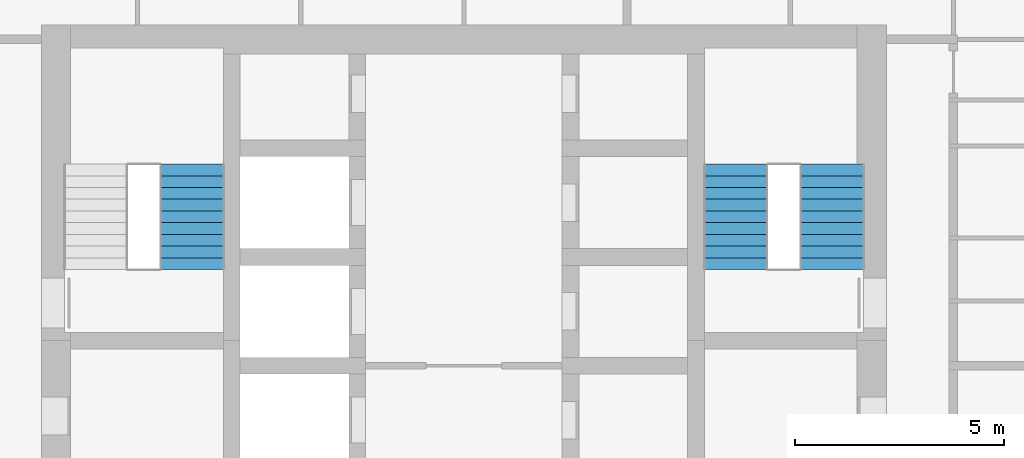
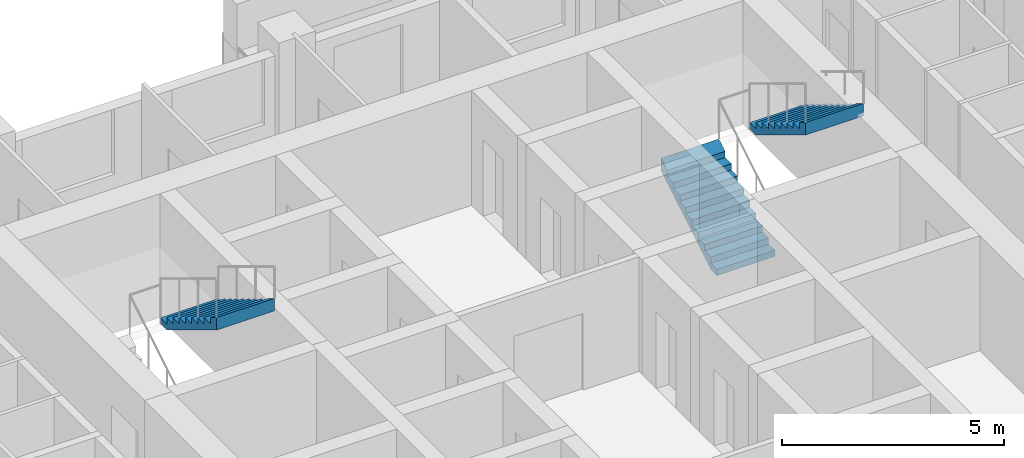
# One storey, part 16 of 18: 3 stair flights, 2 elements without a shape of their own.
"""IFC4 building model written with IfcOpenShell, lengths in metres."""

from ifc_helpers import new_model, si_unit, direction, frame, origin, place, context, subcontext, project, spatial, triangles, material, type_object, element, aggregate, save


model = new_model("IFC4")

# Units and contexts
model_context = context("Model", 3, precision=1e-05, world=origin(), true_north=direction((0.0, 1.0)))
body_context = subcontext(model_context, "Body", "Model", "MODEL_VIEW")
ifc_project = project(units=[si_unit("LENGTHUNIT", "METRE"), si_unit("AREAUNIT", "SQUARE_METRE"), si_unit("VOLUMEUNIT", "CUBIC_METRE"), si_unit("PLANEANGLEUNIT", "RADIAN"), si_unit("MASSUNIT", "GRAM", prefix="KILO")], contexts=[model_context])

# Site, building, storey
site_placement = place(None, origin())
site = spatial("IfcSite", under=ifc_project, at=site_placement, CompositionType="ELEMENT")
building_placement = place(site_placement, origin())
building = spatial("IfcBuilding", under=site, at=building_placement, Name="Ludao Terraces", CompositionType="ELEMENT")
storey_placement = place(building_placement, frame((0.0, 0.0, 78.39990234375)))
storey = spatial("IfcBuildingStorey", under=building, at=storey_placement, Name="L21", CompositionType="ELEMENT", Elevation=78.39990234375)

# Stair, stair flight
ifc_material = material(Name="Concrete C40", Category="concrete")
stair_type = type_object("IfcStairType", Name="INT Stair", PredefinedType="HALF_TURN_STAIR", material=ifc_material)
stair_1_placement = place(storey_placement, origin())
stair_1 = element("IfcStair", 1, at=stair_1_placement, inside=storey, type_object=stair_type, Name="EXIT STAIR 1", PredefinedType="HALF_TURN_STAIR")
stair_flight_type = type_object("IfcStairFlightType", Name="INT Stair flight", PredefinedType="STRAIGHT", material=ifc_material)
stair_flight_1_placement = place(storey_placement, frame((78.5, 81.52001953125, 1.7001953125), z_axis=(0.0, 0.0, 1.0), x_axis=(0.0, -1.0, 0.0)))
stair_flight_1 = element("IfcStairFlight", 2, at=stair_flight_1_placement, type_object=stair_flight_type, Name="ST1 flight 2", NumberOfRisers=10, NumberOfTreads=9, PredefinedType="STRAIGHT", RiserHeight=0.17, TreadLength=0.28, context=body_context, shape_type="Tessellation", body=[
    triangles([(0.0, -0.75, 0.0), (0.0, -0.5, 0.0), (0.0, -0.25, 0.0), (0.0, 0.0, 0.0), (0.0, 0.25, 0.0), (0.0, 0.5, 0.0), (0.0, 0.75, 0.0), (0.0, -0.75, 0.169921875), (0.0, -0.5, 0.169921875), (0.0, -0.25, 0.169921875), (0.0, 0.0, 0.169921875), (0.0, 0.25, 0.169921875), (0.0, 0.5, 0.169921875), (0.0, 0.75, 0.169921875), (0.280029296875, -0.75, 0.169921875), (0.280029296875, -0.5, 0.169921875), (0.280029296875, -0.25, 0.169921875), (0.280029296875, 0.0, 0.169921875), (0.280029296875, 0.25, 0.169921875), (0.280029296875, 0.5, 0.169921875), (0.280029296875, 0.75, 0.169921875), (0.280029296875, -0.75, 0.340087890625), (0.280029296875, -0.5, 0.340087890625), (0.280029296875, -0.25, 0.340087890625), (0.280029296875, 0.0, 0.340087890625), (0.280029296875, 0.25, 0.340087890625), (0.280029296875, 0.5, 0.340087890625), (0.280029296875, 0.75, 0.340087890625), (0.56005859375, -0.75, 0.340087890625), (0.56005859375, -0.5, 0.340087890625), (0.56005859375, -0.25, 0.340087890625), (0.56005859375, 0.0, 0.340087890625), (0.56005859375, 0.25, 0.340087890625), (0.56005859375, 0.5, 0.340087890625), (0.56005859375, 0.75, 0.340087890625), (0.56005859375, -0.75, 0.510009765625), (0.56005859375, -0.5, 0.510009765625), (0.56005859375, -0.25, 0.510009765625), (0.56005859375, 0.0, 0.510009765625), (0.56005859375, 0.25, 0.510009765625), (0.56005859375, 0.5, 0.510009765625), (0.56005859375, 0.75, 0.510009765625), (0.840087890625, -0.75, 0.510009765625), (0.840087890625, -0.5, 0.510009765625), (0.840087890625, -0.25, 0.510009765625), (0.840087890625, 0.0, 0.510009765625), (0.840087890625, 0.25, 0.510009765625), (0.840087890625, 0.5, 0.510009765625), (0.840087890625, 0.75, 0.510009765625), (0.840087890625, -0.75, 0.679931640625), (0.840087890625, -0.5, 0.679931640625), (0.840087890625, -0.25, 0.679931640625), (0.840087890625, 0.0, 0.679931640625), (0.840087890625, 0.25, 0.679931640625), (0.840087890625, 0.5, 0.679931640625), (0.840087890625, 0.75, 0.679931640625), (1.1201171875, -0.75, 0.679931640625), (1.1201171875, -0.5, 0.679931640625), (1.1201171875, -0.25, 0.679931640625), (1.1201171875, 0.0, 0.679931640625), (1.1201171875, 0.25, 0.679931640625), (1.1201171875, 0.5, 0.679931640625), (1.1201171875, 0.75, 0.679931640625), (1.1201171875, -0.75, 0.85009765625), (1.1201171875, -0.5, 0.85009765625), (1.1201171875, -0.25, 0.85009765625), (1.1201171875, 0.0, 0.85009765625), (1.1201171875, 0.25, 0.85009765625), (1.1201171875, 0.5, 0.85009765625), (1.1201171875, 0.75, 0.85009765625), (1.39990234375, -0.75, 0.85009765625), (1.39990234375, -0.5, 0.85009765625), (1.39990234375, -0.25, 0.85009765625), (1.39990234375, 0.0, 0.85009765625), (1.39990234375, 0.25, 0.85009765625), (1.39990234375, 0.5, 0.85009765625), (1.39990234375, 0.75, 0.85009765625), (1.39990234375, -0.75, 1.02001953125), (1.39990234375, -0.5, 1.02001953125), (1.39990234375, -0.25, 1.02001953125), (1.39990234375, 0.0, 1.02001953125), (1.39990234375, 0.25, 1.02001953125), (1.39990234375, 0.5, 1.02001953125), (1.39990234375, 0.75, 1.02001953125), (1.679931640625, -0.75, 1.02001953125), (1.679931640625, -0.5, 1.02001953125), (1.679931640625, -0.25, 1.02001953125), (1.679931640625, 0.0, 1.02001953125), (1.679931640625, 0.25, 1.02001953125), (1.679931640625, 0.5, 1.02001953125), (1.679931640625, 0.75, 1.02001953125), (1.679931640625, -0.75, 1.18994140625), (1.679931640625, -0.5, 1.18994140625), (1.679931640625, -0.25, 1.18994140625), (1.679931640625, 0.0, 1.18994140625), (1.679931640625, 0.25, 1.18994140625), (1.679931640625, 0.5, 1.18994140625), (1.679931640625, 0.75, 1.18994140625), (1.9599609375, -0.75, 1.18994140625), (1.9599609375, -0.5, 1.18994140625), (1.9599609375, -0.25, 1.18994140625), (1.9599609375, 0.0, 1.18994140625), (1.9599609375, 0.25, 1.18994140625), (1.9599609375, 0.5, 1.18994140625), (1.9599609375, 0.75, 1.18994140625), (1.9599609375, -0.75, 1.360107421875), (1.9599609375, -0.5, 1.360107421875), (1.9599609375, -0.25, 1.360107421875), (1.9599609375, 0.0, 1.360107421875), (1.9599609375, 0.25, 1.360107421875), (1.9599609375, 0.5, 1.360107421875), (1.9599609375, 0.75, 1.360107421875), (2.239990234375, -0.75, 1.360107421875), (2.239990234375, -0.5, 1.360107421875), (2.239990234375, -0.25, 1.360107421875), (2.239990234375, 0.0, 1.360107421875), (2.239990234375, 0.25, 1.360107421875), (2.239990234375, 0.5, 1.360107421875), (2.239990234375, 0.75, 1.360107421875), (2.239990234375, -0.75, 1.530029296875), (2.239990234375, -0.5, 1.530029296875), (2.239990234375, -0.25, 1.530029296875), (2.239990234375, 0.0, 1.530029296875), (2.239990234375, 0.25, 1.530029296875), (2.239990234375, 0.5, 1.530029296875), (2.239990234375, 0.75, 1.530029296875), (2.52001953125, -0.75, 1.699951171875), (2.52001953125, -0.5, 1.699951171875), (2.52001953125, -0.25, 1.699951171875), (2.52001953125, 0.0, 1.699951171875), (2.52001953125, 0.25, 1.699951171875), (2.52001953125, 0.5, 1.699951171875), (2.52001953125, 0.75, 1.699951171875), (2.52001953125, -0.75, 1.354736328125), (2.52001953125, -0.5, 1.354736328125), (2.52001953125, -0.25, 1.354736328125), (2.52001953125, 0.0, 1.354736328125), (2.52001953125, 0.25, 1.354736328125), (2.52001953125, 0.5, 1.354736328125), (2.52001953125, 0.75, 1.354736328125), (0.288818359375, -0.75, 0.0), (0.288818359375, -0.5, 0.0), (0.288818359375, -0.25, 0.0), (0.288818359375, 0.0, 0.0), (0.288818359375, 0.25, 0.0), (0.288818359375, 0.5, 0.0), (0.288818359375, 0.75, 0.0)], [[1, 141, 134], [7, 140, 147], [134, 127, 120], [140, 126, 133], [134, 120, 113], [140, 119, 126], [134, 113, 106], [140, 112, 119], [134, 106, 99], [140, 105, 112], [99, 92, 85], [105, 91, 98], [134, 99, 85], [140, 91, 105], [85, 78, 71], [91, 77, 84], [134, 85, 71], [140, 77, 91], [71, 64, 57], [77, 63, 70], [134, 71, 57], [140, 63, 77], [57, 50, 43], [63, 49, 56], [134, 57, 43], [140, 49, 63], [43, 36, 29], [49, 35, 42], [134, 43, 29], [140, 35, 49], [29, 22, 15], [35, 21, 28], [134, 29, 15], [140, 21, 35], [1, 134, 15], [7, 21, 140], [15, 8, 1], [21, 7, 14], [1, 9, 2], [1, 8, 9], [2, 10, 3], [2, 9, 10], [3, 11, 4], [3, 10, 11], [4, 12, 5], [4, 11, 12], [5, 13, 6], [5, 12, 13], [6, 14, 7], [6, 13, 14], [8, 16, 9], [8, 15, 16], [9, 17, 10], [9, 16, 17], [10, 18, 11], [10, 17, 18], [11, 19, 12], [11, 18, 19], [12, 20, 13], [12, 19, 20], [13, 21, 14], [13, 20, 21], [15, 23, 16], [15, 22, 23], [16, 24, 17], [16, 23, 24], [17, 25, 18], [17, 24, 25], [18, 26, 19], [18, 25, 26], [19, 27, 20], [19, 26, 27], [20, 28, 21], [20, 27, 28], [22, 30, 23], [22, 29, 30], [23, 31, 24], [23, 30, 31], [24, 32, 25], [24, 31, 32], [25, 33, 26], [25, 32, 33], [26, 34, 27], [26, 33, 34], [27, 35, 28], [27, 34, 35], [29, 37, 30], [29, 36, 37], [30, 38, 31], [30, 37, 38], [31, 39, 32], [31, 38, 39], [32, 40, 33], [32, 39, 40], [33, 41, 34], [33, 40, 41], [34, 42, 35], [34, 41, 42], [36, 44, 37], [36, 43, 44], [37, 45, 38], [37, 44, 45], [38, 46, 39], [38, 45, 46], [39, 47, 40], [39, 46, 47], [40, 48, 41], [40, 47, 48], [41, 49, 42], [41, 48, 49], [43, 51, 44], [43, 50, 51], [44, 52, 45], [44, 51, 52], [45, 53, 46], [45, 52, 53], [46, 54, 47], [46, 53, 54], [47, 55, 48], [47, 54, 55], [48, 56, 49], [48, 55, 56], [50, 58, 51], [50, 57, 58], [51, 59, 52], [51, 58, 59], [52, 60, 53], [52, 59, 60], [53, 61, 54], [53, 60, 61], [54, 62, 55], [54, 61, 62], [55, 63, 56], [55, 62, 63], [57, 65, 58], [57, 64, 65], [58, 66, 59], [58, 65, 66], [59, 67, 60], [59, 66, 67], [60, 68, 61], [60, 67, 68], [61, 69, 62], [61, 68, 69], [62, 70, 63], [62, 69, 70], [64, 72, 65], [64, 71, 72], [65, 73, 66], [65, 72, 73], [66, 74, 67], [66, 73, 74], [67, 75, 68], [67, 74, 75], [68, 76, 69], [68, 75, 76], [69, 77, 70], [69, 76, 77], [71, 79, 72], [71, 78, 79], [72, 80, 73], [72, 79, 80], [73, 81, 74], [73, 80, 81], [74, 82, 75], [74, 81, 82], [75, 83, 76], [75, 82, 83], [76, 84, 77], [76, 83, 84], [78, 86, 79], [78, 85, 86], [79, 87, 80], [79, 86, 87], [80, 88, 81], [80, 87, 88], [81, 89, 82], [81, 88, 89], [82, 90, 83], [82, 89, 90], [83, 91, 84], [83, 90, 91], [85, 93, 86], [85, 92, 93], [86, 94, 87], [86, 93, 94], [87, 95, 88], [87, 94, 95], [88, 96, 89], [88, 95, 96], [89, 97, 90], [89, 96, 97], [90, 98, 91], [90, 97, 98], [92, 100, 93], [92, 99, 100], [93, 101, 94], [93, 100, 101], [94, 102, 95], [94, 101, 102], [95, 103, 96], [95, 102, 103], [96, 104, 97], [96, 103, 104], [97, 105, 98], [97, 104, 105], [99, 107, 100], [99, 106, 107], [100, 108, 101], [100, 107, 108], [101, 109, 102], [101, 108, 109], [102, 110, 103], [102, 109, 110], [103, 111, 104], [103, 110, 111], [104, 112, 105], [104, 111, 112], [106, 114, 107], [106, 113, 114], [107, 115, 108], [107, 114, 115], [108, 116, 109], [108, 115, 116], [109, 117, 110], [109, 116, 117], [110, 118, 111], [110, 117, 118], [111, 119, 112], [111, 118, 119], [113, 121, 114], [113, 120, 121], [114, 122, 115], [114, 121, 122], [115, 123, 116], [115, 122, 123], [116, 124, 117], [116, 123, 124], [117, 125, 118], [117, 124, 125], [118, 126, 119], [118, 125, 126], [120, 128, 121], [120, 127, 128], [121, 129, 122], [121, 128, 129], [122, 130, 123], [122, 129, 130], [123, 131, 124], [123, 130, 131], [124, 132, 125], [124, 131, 132], [125, 133, 126], [125, 132, 133], [127, 135, 128], [127, 134, 135], [128, 136, 129], [128, 135, 136], [129, 137, 130], [129, 136, 137], [130, 138, 131], [130, 137, 138], [131, 139, 132], [131, 138, 139], [132, 140, 133], [132, 139, 140], [134, 142, 135], [134, 141, 142], [135, 143, 136], [135, 142, 143], [136, 144, 137], [136, 143, 144], [137, 145, 138], [137, 144, 145], [138, 146, 139], [138, 145, 146], [139, 147, 140], [139, 146, 147], [141, 2, 142], [141, 1, 2], [142, 3, 143], [142, 2, 3], [143, 4, 144], [143, 3, 4], [144, 5, 145], [144, 4, 5], [145, 6, 146], [145, 5, 6], [146, 7, 147], [146, 6, 7]], closed=True),
])
aggregate(stair_1, [stair_flight_1])

# Stair, stair flights
stair_2_placement = place(storey_placement, origin())
stair_2 = element("IfcStair", 3, at=stair_2_placement, inside=storey, type_object=stair_type, Name="EXIT STAIR 2", PredefinedType="HALF_TURN_STAIR")
stair_flight_2_placement = place(storey_placement, frame((91.5, 79.0, 0.0), z_axis=(0.0, 0.0, 1.0), x_axis=(0.0, 1.0, 0.0)))
stair_flight_2 = element("IfcStairFlight", 4, at=stair_flight_2_placement, type_object=stair_flight_type, Name="ST2 flight 1", NumberOfRisers=10, NumberOfTreads=9, PredefinedType="STRAIGHT", RiserHeight=0.17, TreadLength=0.28, context=body_context, shape_type="Tessellation", body=[
    triangles([(0.0, -0.75, 0.0), (0.0, -0.5, 0.0), (0.0, -0.25, 0.0), (0.0, 0.0, 0.0), (0.0, 0.25, 0.0), (0.0, 0.5, 0.0), (0.0, 0.75, 0.0), (0.0, -0.75, 0.169921875), (0.0, -0.5, 0.169921875), (0.0, -0.25, 0.169921875), (0.0, 0.0, 0.169921875), (0.0, 0.25, 0.169921875), (0.0, 0.5, 0.169921875), (0.0, 0.75, 0.169921875), (0.280029296875, -0.75, 0.169921875), (0.280029296875, -0.5, 0.169921875), (0.280029296875, -0.25, 0.169921875), (0.280029296875, 0.0, 0.169921875), (0.280029296875, 0.25, 0.169921875), (0.280029296875, 0.5, 0.169921875), (0.280029296875, 0.75, 0.169921875), (0.280029296875, -0.75, 0.340087890625), (0.280029296875, -0.5, 0.340087890625), (0.280029296875, -0.25, 0.340087890625), (0.280029296875, 0.0, 0.340087890625), (0.280029296875, 0.25, 0.340087890625), (0.280029296875, 0.5, 0.340087890625), (0.280029296875, 0.75, 0.340087890625), (0.56005859375, -0.75, 0.340087890625), (0.56005859375, -0.5, 0.340087890625), (0.56005859375, -0.25, 0.340087890625), (0.56005859375, 0.0, 0.340087890625), (0.56005859375, 0.25, 0.340087890625), (0.56005859375, 0.5, 0.340087890625), (0.56005859375, 0.75, 0.340087890625), (0.56005859375, -0.75, 0.510009765625), (0.56005859375, -0.5, 0.510009765625), (0.56005859375, -0.25, 0.510009765625), (0.56005859375, 0.0, 0.510009765625), (0.56005859375, 0.25, 0.510009765625), (0.56005859375, 0.5, 0.510009765625), (0.56005859375, 0.75, 0.510009765625), (0.840087890625, -0.75, 0.510009765625), (0.840087890625, -0.5, 0.510009765625), (0.840087890625, -0.25, 0.510009765625), (0.840087890625, 0.0, 0.510009765625), (0.840087890625, 0.25, 0.510009765625), (0.840087890625, 0.5, 0.510009765625), (0.840087890625, 0.75, 0.510009765625), (0.840087890625, -0.75, 0.679931640625), (0.840087890625, -0.5, 0.679931640625), (0.840087890625, -0.25, 0.679931640625), (0.840087890625, 0.0, 0.679931640625), (0.840087890625, 0.25, 0.679931640625), (0.840087890625, 0.5, 0.679931640625), (0.840087890625, 0.75, 0.679931640625), (1.1201171875, -0.75, 0.679931640625), (1.1201171875, -0.5, 0.679931640625), (1.1201171875, -0.25, 0.679931640625), (1.1201171875, 0.0, 0.679931640625), (1.1201171875, 0.25, 0.679931640625), (1.1201171875, 0.5, 0.679931640625), (1.1201171875, 0.75, 0.679931640625), (1.1201171875, -0.75, 0.85009765625), (1.1201171875, -0.5, 0.85009765625), (1.1201171875, -0.25, 0.85009765625), (1.1201171875, 0.0, 0.85009765625), (1.1201171875, 0.25, 0.85009765625), (1.1201171875, 0.5, 0.85009765625), (1.1201171875, 0.75, 0.85009765625), (1.39990234375, -0.75, 0.85009765625), (1.39990234375, -0.5, 0.85009765625), (1.39990234375, -0.25, 0.85009765625), (1.39990234375, 0.0, 0.85009765625), (1.39990234375, 0.25, 0.85009765625), (1.39990234375, 0.5, 0.85009765625), (1.39990234375, 0.75, 0.85009765625), (1.39990234375, -0.75, 1.02001953125), (1.39990234375, -0.5, 1.02001953125), (1.39990234375, -0.25, 1.02001953125), (1.39990234375, 0.0, 1.02001953125), (1.39990234375, 0.25, 1.02001953125), (1.39990234375, 0.5, 1.02001953125), (1.39990234375, 0.75, 1.02001953125), (1.679931640625, -0.75, 1.02001953125), (1.679931640625, -0.5, 1.02001953125), (1.679931640625, -0.25, 1.02001953125), (1.679931640625, 0.0, 1.02001953125), (1.679931640625, 0.25, 1.02001953125), (1.679931640625, 0.5, 1.02001953125), (1.679931640625, 0.75, 1.02001953125), (1.679931640625, -0.75, 1.18994140625), (1.679931640625, -0.5, 1.18994140625), (1.679931640625, -0.25, 1.18994140625), (1.679931640625, 0.0, 1.18994140625), (1.679931640625, 0.25, 1.18994140625), (1.679931640625, 0.5, 1.18994140625), (1.679931640625, 0.75, 1.18994140625), (1.9599609375, -0.75, 1.18994140625), (1.9599609375, -0.5, 1.18994140625), (1.9599609375, -0.25, 1.18994140625), (1.9599609375, 0.0, 1.18994140625), (1.9599609375, 0.25, 1.18994140625), (1.9599609375, 0.5, 1.18994140625), (1.9599609375, 0.75, 1.18994140625), (1.9599609375, -0.75, 1.360107421875), (1.9599609375, -0.5, 1.360107421875), (1.9599609375, -0.25, 1.360107421875), (1.9599609375, 0.0, 1.360107421875), (1.9599609375, 0.25, 1.360107421875), (1.9599609375, 0.5, 1.360107421875), (1.9599609375, 0.75, 1.360107421875), (2.239990234375, -0.75, 1.360107421875), (2.239990234375, -0.5, 1.360107421875), (2.239990234375, -0.25, 1.360107421875), (2.239990234375, 0.0, 1.360107421875), (2.239990234375, 0.25, 1.360107421875), (2.239990234375, 0.5, 1.360107421875), (2.239990234375, 0.75, 1.360107421875), (2.239990234375, -0.75, 1.530029296875), (2.239990234375, -0.5, 1.530029296875), (2.239990234375, -0.25, 1.530029296875), (2.239990234375, 0.0, 1.530029296875), (2.239990234375, 0.25, 1.530029296875), (2.239990234375, 0.5, 1.530029296875), (2.239990234375, 0.75, 1.530029296875), (2.52001953125, -0.75, 1.699951171875), (2.52001953125, -0.5, 1.699951171875), (2.52001953125, -0.25, 1.699951171875), (2.52001953125, 0.0, 1.699951171875), (2.52001953125, 0.25, 1.699951171875), (2.52001953125, 0.5, 1.699951171875), (2.52001953125, 0.75, 1.699951171875), (2.52001953125, -0.75, 1.354736328125), (2.52001953125, -0.5, 1.354736328125), (2.52001953125, -0.25, 1.354736328125), (2.52001953125, 0.0, 1.354736328125), (2.52001953125, 0.25, 1.354736328125), (2.52001953125, 0.5, 1.354736328125), (2.52001953125, 0.75, 1.354736328125), (0.288818359375, -0.75, 0.0), (0.288818359375, -0.5, 0.0), (0.288818359375, -0.25, 0.0), (0.288818359375, 0.0, 0.0), (0.288818359375, 0.25, 0.0), (0.288818359375, 0.5, 0.0), (0.288818359375, 0.75, 0.0)], [[1, 141, 134], [7, 140, 147], [134, 127, 120], [140, 126, 133], [134, 120, 113], [140, 119, 126], [134, 113, 106], [140, 112, 119], [134, 106, 99], [140, 105, 112], [99, 92, 85], [105, 91, 98], [134, 99, 85], [140, 91, 105], [85, 78, 71], [91, 77, 84], [134, 85, 71], [140, 77, 91], [71, 64, 57], [77, 63, 70], [134, 71, 57], [140, 63, 77], [57, 50, 43], [63, 49, 56], [134, 57, 43], [140, 49, 63], [43, 36, 29], [49, 35, 42], [134, 43, 29], [140, 35, 49], [29, 22, 15], [35, 21, 28], [134, 29, 15], [140, 21, 35], [1, 134, 15], [7, 21, 140], [15, 8, 1], [21, 7, 14], [1, 9, 2], [1, 8, 9], [2, 10, 3], [2, 9, 10], [3, 11, 4], [3, 10, 11], [4, 12, 5], [4, 11, 12], [5, 13, 6], [5, 12, 13], [6, 14, 7], [6, 13, 14], [8, 16, 9], [8, 15, 16], [9, 17, 10], [9, 16, 17], [10, 18, 11], [10, 17, 18], [11, 19, 12], [11, 18, 19], [12, 20, 13], [12, 19, 20], [13, 21, 14], [13, 20, 21], [15, 23, 16], [15, 22, 23], [16, 24, 17], [16, 23, 24], [17, 25, 18], [17, 24, 25], [18, 26, 19], [18, 25, 26], [19, 27, 20], [19, 26, 27], [20, 28, 21], [20, 27, 28], [22, 30, 23], [22, 29, 30], [23, 31, 24], [23, 30, 31], [24, 32, 25], [24, 31, 32], [25, 33, 26], [25, 32, 33], [26, 34, 27], [26, 33, 34], [27, 35, 28], [27, 34, 35], [29, 37, 30], [29, 36, 37], [30, 38, 31], [30, 37, 38], [31, 39, 32], [31, 38, 39], [32, 40, 33], [32, 39, 40], [33, 41, 34], [33, 40, 41], [34, 42, 35], [34, 41, 42], [36, 44, 37], [36, 43, 44], [37, 45, 38], [37, 44, 45], [38, 46, 39], [38, 45, 46], [39, 47, 40], [39, 46, 47], [40, 48, 41], [40, 47, 48], [41, 49, 42], [41, 48, 49], [43, 51, 44], [43, 50, 51], [44, 52, 45], [44, 51, 52], [45, 53, 46], [45, 52, 53], [46, 54, 47], [46, 53, 54], [47, 55, 48], [47, 54, 55], [48, 56, 49], [48, 55, 56], [50, 58, 51], [50, 57, 58], [51, 59, 52], [51, 58, 59], [52, 60, 53], [52, 59, 60], [53, 61, 54], [53, 60, 61], [54, 62, 55], [54, 61, 62], [55, 63, 56], [55, 62, 63], [57, 65, 58], [57, 64, 65], [58, 66, 59], [58, 65, 66], [59, 67, 60], [59, 66, 67], [60, 68, 61], [60, 67, 68], [61, 69, 62], [61, 68, 69], [62, 70, 63], [62, 69, 70], [64, 72, 65], [64, 71, 72], [65, 73, 66], [65, 72, 73], [66, 74, 67], [66, 73, 74], [67, 75, 68], [67, 74, 75], [68, 76, 69], [68, 75, 76], [69, 77, 70], [69, 76, 77], [71, 79, 72], [71, 78, 79], [72, 80, 73], [72, 79, 80], [73, 81, 74], [73, 80, 81], [74, 82, 75], [74, 81, 82], [75, 83, 76], [75, 82, 83], [76, 84, 77], [76, 83, 84], [78, 86, 79], [78, 85, 86], [79, 87, 80], [79, 86, 87], [80, 88, 81], [80, 87, 88], [81, 89, 82], [81, 88, 89], [82, 90, 83], [82, 89, 90], [83, 91, 84], [83, 90, 91], [85, 93, 86], [85, 92, 93], [86, 94, 87], [86, 93, 94], [87, 95, 88], [87, 94, 95], [88, 96, 89], [88, 95, 96], [89, 97, 90], [89, 96, 97], [90, 98, 91], [90, 97, 98], [92, 100, 93], [92, 99, 100], [93, 101, 94], [93, 100, 101], [94, 102, 95], [94, 101, 102], [95, 103, 96], [95, 102, 103], [96, 104, 97], [96, 103, 104], [97, 105, 98], [97, 104, 105], [99, 107, 100], [99, 106, 107], [100, 108, 101], [100, 107, 108], [101, 109, 102], [101, 108, 109], [102, 110, 103], [102, 109, 110], [103, 111, 104], [103, 110, 111], [104, 112, 105], [104, 111, 112], [106, 114, 107], [106, 113, 114], [107, 115, 108], [107, 114, 115], [108, 116, 109], [108, 115, 116], [109, 117, 110], [109, 116, 117], [110, 118, 111], [110, 117, 118], [111, 119, 112], [111, 118, 119], [113, 121, 114], [113, 120, 121], [114, 122, 115], [114, 121, 122], [115, 123, 116], [115, 122, 123], [116, 124, 117], [116, 123, 124], [117, 125, 118], [117, 124, 125], [118, 126, 119], [118, 125, 126], [120, 128, 121], [120, 127, 128], [121, 129, 122], [121, 128, 129], [122, 130, 123], [122, 129, 130], [123, 131, 124], [123, 130, 131], [124, 132, 125], [124, 131, 132], [125, 133, 126], [125, 132, 133], [127, 135, 128], [127, 134, 135], [128, 136, 129], [128, 135, 136], [129, 137, 130], [129, 136, 137], [130, 138, 131], [130, 137, 138], [131, 139, 132], [131, 138, 139], [132, 140, 133], [132, 139, 140], [134, 142, 135], [134, 141, 142], [135, 143, 136], [135, 142, 143], [136, 144, 137], [136, 143, 144], [137, 145, 138], [137, 144, 145], [138, 146, 139], [138, 145, 146], [139, 147, 140], [139, 146, 147], [141, 2, 142], [141, 1, 2], [142, 3, 143], [142, 2, 3], [143, 4, 144], [143, 3, 4], [144, 5, 145], [144, 4, 5], [145, 6, 146], [145, 5, 6], [146, 7, 147], [146, 6, 7]], closed=True),
])
stair_flight_3_placement = place(storey_placement, frame((93.800048828125, 81.52001953125, 1.7001953125), z_axis=(0.0, 0.0, 1.0), x_axis=(0.0, -1.0, 0.0)))
stair_flight_3 = element("IfcStairFlight", 5, at=stair_flight_3_placement, type_object=stair_flight_type, Name="ST2 flight 2", NumberOfRisers=10, NumberOfTreads=9, PredefinedType="STRAIGHT", RiserHeight=0.17, TreadLength=0.28, context=body_context, shape_type="Tessellation", body=[
    triangles([(0.0, -0.75, 0.0), (0.0, -0.5, 0.0), (0.0, -0.25, 0.0), (0.0, 0.0, 0.0), (0.0, 0.25, 0.0), (0.0, 0.5, 0.0), (0.0, 0.75, 0.0), (0.0, -0.75, 0.169921875), (0.0, -0.5, 0.169921875), (0.0, -0.25, 0.169921875), (0.0, 0.0, 0.169921875), (0.0, 0.25, 0.169921875), (0.0, 0.5, 0.169921875), (0.0, 0.75, 0.169921875), (0.280029296875, -0.75, 0.169921875), (0.280029296875, -0.5, 0.169921875), (0.280029296875, -0.25, 0.169921875), (0.280029296875, 0.0, 0.169921875), (0.280029296875, 0.25, 0.169921875), (0.280029296875, 0.5, 0.169921875), (0.280029296875, 0.75, 0.169921875), (0.280029296875, -0.75, 0.340087890625), (0.280029296875, -0.5, 0.340087890625), (0.280029296875, -0.25, 0.340087890625), (0.280029296875, 0.0, 0.340087890625), (0.280029296875, 0.25, 0.340087890625), (0.280029296875, 0.5, 0.340087890625), (0.280029296875, 0.75, 0.340087890625), (0.56005859375, -0.75, 0.340087890625), (0.56005859375, -0.5, 0.340087890625), (0.56005859375, -0.25, 0.340087890625), (0.56005859375, 0.0, 0.340087890625), (0.56005859375, 0.25, 0.340087890625), (0.56005859375, 0.5, 0.340087890625), (0.56005859375, 0.75, 0.340087890625), (0.56005859375, -0.75, 0.510009765625), (0.56005859375, -0.5, 0.510009765625), (0.56005859375, -0.25, 0.510009765625), (0.56005859375, 0.0, 0.510009765625), (0.56005859375, 0.25, 0.510009765625), (0.56005859375, 0.5, 0.510009765625), (0.56005859375, 0.75, 0.510009765625), (0.840087890625, -0.75, 0.510009765625), (0.840087890625, -0.5, 0.510009765625), (0.840087890625, -0.25, 0.510009765625), (0.840087890625, 0.0, 0.510009765625), (0.840087890625, 0.25, 0.510009765625), (0.840087890625, 0.5, 0.510009765625), (0.840087890625, 0.75, 0.510009765625), (0.840087890625, -0.75, 0.679931640625), (0.840087890625, -0.5, 0.679931640625), (0.840087890625, -0.25, 0.679931640625), (0.840087890625, 0.0, 0.679931640625), (0.840087890625, 0.25, 0.679931640625), (0.840087890625, 0.5, 0.679931640625), (0.840087890625, 0.75, 0.679931640625), (1.1201171875, -0.75, 0.679931640625), (1.1201171875, -0.5, 0.679931640625), (1.1201171875, -0.25, 0.679931640625), (1.1201171875, 0.0, 0.679931640625), (1.1201171875, 0.25, 0.679931640625), (1.1201171875, 0.5, 0.679931640625), (1.1201171875, 0.75, 0.679931640625), (1.1201171875, -0.75, 0.85009765625), (1.1201171875, -0.5, 0.85009765625), (1.1201171875, -0.25, 0.85009765625), (1.1201171875, 0.0, 0.85009765625), (1.1201171875, 0.25, 0.85009765625), (1.1201171875, 0.5, 0.85009765625), (1.1201171875, 0.75, 0.85009765625), (1.39990234375, -0.75, 0.85009765625), (1.39990234375, -0.5, 0.85009765625), (1.39990234375, -0.25, 0.85009765625), (1.39990234375, 0.0, 0.85009765625), (1.39990234375, 0.25, 0.85009765625), (1.39990234375, 0.5, 0.85009765625), (1.39990234375, 0.75, 0.85009765625), (1.39990234375, -0.75, 1.02001953125), (1.39990234375, -0.5, 1.02001953125), (1.39990234375, -0.25, 1.02001953125), (1.39990234375, 0.0, 1.02001953125), (1.39990234375, 0.25, 1.02001953125), (1.39990234375, 0.5, 1.02001953125), (1.39990234375, 0.75, 1.02001953125), (1.679931640625, -0.75, 1.02001953125), (1.679931640625, -0.5, 1.02001953125), (1.679931640625, -0.25, 1.02001953125), (1.679931640625, 0.0, 1.02001953125), (1.679931640625, 0.25, 1.02001953125), (1.679931640625, 0.5, 1.02001953125), (1.679931640625, 0.75, 1.02001953125), (1.679931640625, -0.75, 1.18994140625), (1.679931640625, -0.5, 1.18994140625), (1.679931640625, -0.25, 1.18994140625), (1.679931640625, 0.0, 1.18994140625), (1.679931640625, 0.25, 1.18994140625), (1.679931640625, 0.5, 1.18994140625), (1.679931640625, 0.75, 1.18994140625), (1.9599609375, -0.75, 1.18994140625), (1.9599609375, -0.5, 1.18994140625), (1.9599609375, -0.25, 1.18994140625), (1.9599609375, 0.0, 1.18994140625), (1.9599609375, 0.25, 1.18994140625), (1.9599609375, 0.5, 1.18994140625), (1.9599609375, 0.75, 1.18994140625), (1.9599609375, -0.75, 1.360107421875), (1.9599609375, -0.5, 1.360107421875), (1.9599609375, -0.25, 1.360107421875), (1.9599609375, 0.0, 1.360107421875), (1.9599609375, 0.25, 1.360107421875), (1.9599609375, 0.5, 1.360107421875), (1.9599609375, 0.75, 1.360107421875), (2.239990234375, -0.75, 1.360107421875), (2.239990234375, -0.5, 1.360107421875), (2.239990234375, -0.25, 1.360107421875), (2.239990234375, 0.0, 1.360107421875), (2.239990234375, 0.25, 1.360107421875), (2.239990234375, 0.5, 1.360107421875), (2.239990234375, 0.75, 1.360107421875), (2.239990234375, -0.75, 1.530029296875), (2.239990234375, -0.5, 1.530029296875), (2.239990234375, -0.25, 1.530029296875), (2.239990234375, 0.0, 1.530029296875), (2.239990234375, 0.25, 1.530029296875), (2.239990234375, 0.5, 1.530029296875), (2.239990234375, 0.75, 1.530029296875), (2.52001953125, -0.75, 1.699951171875), (2.52001953125, -0.5, 1.699951171875), (2.52001953125, -0.25, 1.699951171875), (2.52001953125, 0.0, 1.699951171875), (2.52001953125, 0.25, 1.699951171875), (2.52001953125, 0.5, 1.699951171875), (2.52001953125, 0.75, 1.699951171875), (2.52001953125, -0.75, 1.354736328125), (2.52001953125, -0.5, 1.354736328125), (2.52001953125, -0.25, 1.354736328125), (2.52001953125, 0.0, 1.354736328125), (2.52001953125, 0.25, 1.354736328125), (2.52001953125, 0.5, 1.354736328125), (2.52001953125, 0.75, 1.354736328125), (0.288818359375, -0.75, 0.0), (0.288818359375, -0.5, 0.0), (0.288818359375, -0.25, 0.0), (0.288818359375, 0.0, 0.0), (0.288818359375, 0.25, 0.0), (0.288818359375, 0.5, 0.0), (0.288818359375, 0.75, 0.0)], [[1, 141, 134], [7, 140, 147], [134, 127, 120], [140, 126, 133], [134, 120, 113], [140, 119, 126], [134, 113, 106], [140, 112, 119], [134, 106, 99], [140, 105, 112], [99, 92, 85], [105, 91, 98], [134, 99, 85], [140, 91, 105], [85, 78, 71], [91, 77, 84], [134, 85, 71], [140, 77, 91], [71, 64, 57], [77, 63, 70], [134, 71, 57], [140, 63, 77], [57, 50, 43], [63, 49, 56], [134, 57, 43], [140, 49, 63], [43, 36, 29], [49, 35, 42], [134, 43, 29], [140, 35, 49], [29, 22, 15], [35, 21, 28], [134, 29, 15], [140, 21, 35], [1, 134, 15], [7, 21, 140], [15, 8, 1], [21, 7, 14], [1, 9, 2], [1, 8, 9], [2, 10, 3], [2, 9, 10], [3, 11, 4], [3, 10, 11], [4, 12, 5], [4, 11, 12], [5, 13, 6], [5, 12, 13], [6, 14, 7], [6, 13, 14], [8, 16, 9], [8, 15, 16], [9, 17, 10], [9, 16, 17], [10, 18, 11], [10, 17, 18], [11, 19, 12], [11, 18, 19], [12, 20, 13], [12, 19, 20], [13, 21, 14], [13, 20, 21], [15, 23, 16], [15, 22, 23], [16, 24, 17], [16, 23, 24], [17, 25, 18], [17, 24, 25], [18, 26, 19], [18, 25, 26], [19, 27, 20], [19, 26, 27], [20, 28, 21], [20, 27, 28], [22, 30, 23], [22, 29, 30], [23, 31, 24], [23, 30, 31], [24, 32, 25], [24, 31, 32], [25, 33, 26], [25, 32, 33], [26, 34, 27], [26, 33, 34], [27, 35, 28], [27, 34, 35], [29, 37, 30], [29, 36, 37], [30, 38, 31], [30, 37, 38], [31, 39, 32], [31, 38, 39], [32, 40, 33], [32, 39, 40], [33, 41, 34], [33, 40, 41], [34, 42, 35], [34, 41, 42], [36, 44, 37], [36, 43, 44], [37, 45, 38], [37, 44, 45], [38, 46, 39], [38, 45, 46], [39, 47, 40], [39, 46, 47], [40, 48, 41], [40, 47, 48], [41, 49, 42], [41, 48, 49], [43, 51, 44], [43, 50, 51], [44, 52, 45], [44, 51, 52], [45, 53, 46], [45, 52, 53], [46, 54, 47], [46, 53, 54], [47, 55, 48], [47, 54, 55], [48, 56, 49], [48, 55, 56], [50, 58, 51], [50, 57, 58], [51, 59, 52], [51, 58, 59], [52, 60, 53], [52, 59, 60], [53, 61, 54], [53, 60, 61], [54, 62, 55], [54, 61, 62], [55, 63, 56], [55, 62, 63], [57, 65, 58], [57, 64, 65], [58, 66, 59], [58, 65, 66], [59, 67, 60], [59, 66, 67], [60, 68, 61], [60, 67, 68], [61, 69, 62], [61, 68, 69], [62, 70, 63], [62, 69, 70], [64, 72, 65], [64, 71, 72], [65, 73, 66], [65, 72, 73], [66, 74, 67], [66, 73, 74], [67, 75, 68], [67, 74, 75], [68, 76, 69], [68, 75, 76], [69, 77, 70], [69, 76, 77], [71, 79, 72], [71, 78, 79], [72, 80, 73], [72, 79, 80], [73, 81, 74], [73, 80, 81], [74, 82, 75], [74, 81, 82], [75, 83, 76], [75, 82, 83], [76, 84, 77], [76, 83, 84], [78, 86, 79], [78, 85, 86], [79, 87, 80], [79, 86, 87], [80, 88, 81], [80, 87, 88], [81, 89, 82], [81, 88, 89], [82, 90, 83], [82, 89, 90], [83, 91, 84], [83, 90, 91], [85, 93, 86], [85, 92, 93], [86, 94, 87], [86, 93, 94], [87, 95, 88], [87, 94, 95], [88, 96, 89], [88, 95, 96], [89, 97, 90], [89, 96, 97], [90, 98, 91], [90, 97, 98], [92, 100, 93], [92, 99, 100], [93, 101, 94], [93, 100, 101], [94, 102, 95], [94, 101, 102], [95, 103, 96], [95, 102, 103], [96, 104, 97], [96, 103, 104], [97, 105, 98], [97, 104, 105], [99, 107, 100], [99, 106, 107], [100, 108, 101], [100, 107, 108], [101, 109, 102], [101, 108, 109], [102, 110, 103], [102, 109, 110], [103, 111, 104], [103, 110, 111], [104, 112, 105], [104, 111, 112], [106, 114, 107], [106, 113, 114], [107, 115, 108], [107, 114, 115], [108, 116, 109], [108, 115, 116], [109, 117, 110], [109, 116, 117], [110, 118, 111], [110, 117, 118], [111, 119, 112], [111, 118, 119], [113, 121, 114], [113, 120, 121], [114, 122, 115], [114, 121, 122], [115, 123, 116], [115, 122, 123], [116, 124, 117], [116, 123, 124], [117, 125, 118], [117, 124, 125], [118, 126, 119], [118, 125, 126], [120, 128, 121], [120, 127, 128], [121, 129, 122], [121, 128, 129], [122, 130, 123], [122, 129, 130], [123, 131, 124], [123, 130, 131], [124, 132, 125], [124, 131, 132], [125, 133, 126], [125, 132, 133], [127, 135, 128], [127, 134, 135], [128, 136, 129], [128, 135, 136], [129, 137, 130], [129, 136, 137], [130, 138, 131], [130, 137, 138], [131, 139, 132], [131, 138, 139], [132, 140, 133], [132, 139, 140], [134, 142, 135], [134, 141, 142], [135, 143, 136], [135, 142, 143], [136, 144, 137], [136, 143, 144], [137, 145, 138], [137, 144, 145], [138, 146, 139], [138, 145, 146], [139, 147, 140], [139, 146, 147], [141, 2, 142], [141, 1, 2], [142, 3, 143], [142, 2, 3], [143, 4, 144], [143, 3, 4], [144, 5, 145], [144, 4, 5], [145, 6, 146], [145, 5, 6], [146, 7, 147], [146, 6, 7]], closed=True),
])
aggregate(stair_2, [stair_flight_2, stair_flight_3])

save(model, "model.ifc")
